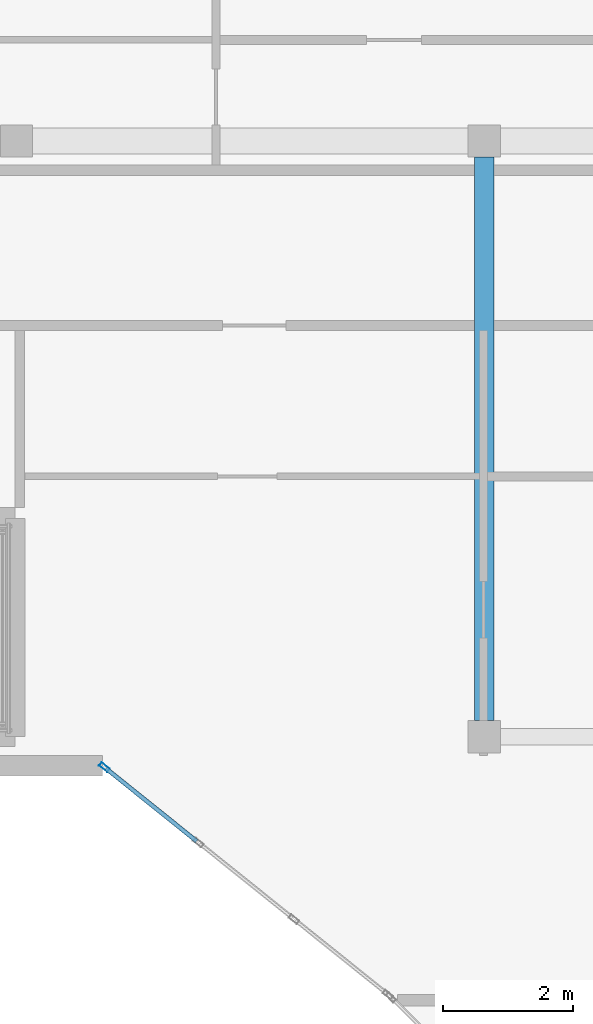
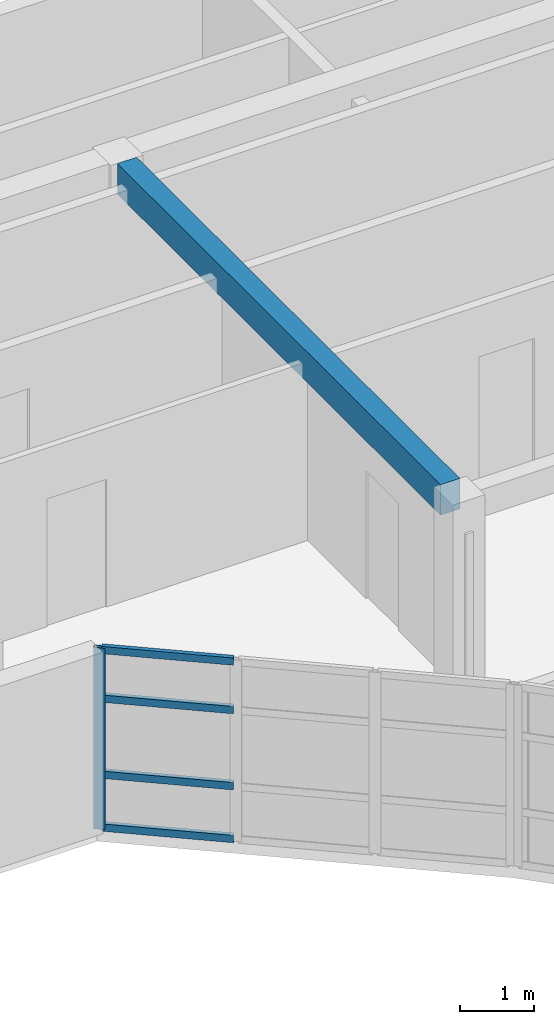
# One storey, part 11 of 30: 5 members, 1 beam, 1 element without a shape of its own.
"""IFC4 building model written with IfcOpenShell, lengths in metres."""

from ifc_helpers import new_model, si_unit, direction, frame, origin, origin_2d, place, context, subcontext, project, spatial, rectangle, hollow_rectangle, extrude, material, layer, layer_set, material_profile, profile_set, type_object, element, aggregate, save


model = new_model("IFC4")

# Units and contexts
model_context = context("Model", 3, precision=1e-05, world=origin(), true_north=direction((0.0, 1.0)))
body_context = subcontext(model_context, "Body", "Model", "MODEL_VIEW")
ifc_project = project(units=[si_unit("LENGTHUNIT", "METRE"), si_unit("AREAUNIT", "SQUARE_METRE"), si_unit("VOLUMEUNIT", "CUBIC_METRE"), si_unit("PLANEANGLEUNIT", "RADIAN"), si_unit("MASSUNIT", "GRAM", prefix="KILO")], contexts=[model_context])

# Site, building, storey
site_placement = place(None, origin())
site = spatial("IfcSite", under=ifc_project, at=site_placement, CompositionType="ELEMENT")
building_placement = place(site_placement, origin())
building = spatial("IfcBuilding", under=site, at=building_placement, Name="Keldmere Railside Commons", CompositionType="ELEMENT")
storey_placement = place(building_placement, frame((0.0, 0.0, 36.159912109375)))
storey = spatial("IfcBuildingStorey", under=building, at=storey_placement, Name="L11", CompositionType="ELEMENT", Elevation=36.159912109375)

# Beam
ifc_material_1 = material(Name="Concrete H-30 (C30/37)", Category="concrete")
ifc_material_profile_1 = material_profile(ifc_material_1, rectangle(XDim=0.300048828125, YDim=0.5, at=origin_2d()), Name="RC-300x500")
ifc_profile_set_1 = profile_set([ifc_material_profile_1], Name="Concrete H-30 (C30/37)")
beam_type = type_object("IfcBeamType", Name="Secondary Frame RC Beam 300x500", PredefinedType="BEAM", material=ifc_profile_set_1)
beam_placement = place(storey_placement, frame((161.889892578125, 100.699951171875, 2.9501953125), z_axis=(0.0, 1.0, 0.0), x_axis=(-1.0, 0.0, 0.0)))
element("IfcBeam", 1, at=beam_placement, inside=storey, type_object=beam_type, Name="BG-5 BM-L11-2471", PredefinedType="BEAM", context=body_context, shape_type="SweptSolid", body=[
    extrude(rectangle(XDim=0.300048828125, YDim=0.5, at=origin_2d()), origin(), (0.0, 0.0, 1.0), 8.699951171875),
])

# Curtain wall, members
ifc_material_2 = material(Name="Thermally Broken Aluminium", Category="aluminium")
ifc_layer = layer(ifc_material_2, 0.159912109375, Name="Court Chord Wintergarden CW 5400x2850")
ifc_layer_set = layer_set([ifc_layer], Name="Thermally Broken Aluminium")
curtain_wall_type = type_object("IfcCurtainWallType", Name="Court Chord Wintergarden CW 5400x2850", PredefinedType="NOTDEFINED", material=ifc_layer_set)
curtain_wall_placement = place(storey_placement, origin())
curtain_wall = element("IfcCurtainWall", 2, at=curtain_wall_placement, inside=storey, type_object=curtain_wall_type, Name="CW-13 CW-L11-190", PredefinedType="NOTDEFINED")
ifc_material_profile_2 = material_profile(ifc_material_2, hollow_rectangle(XDim=0.06494140625, YDim=0.159912109375, WallThickness=0.00390625, at=origin_2d()), Name="ALU-MULL-65x160")
ifc_profile_set_2 = profile_set([ifc_material_profile_2], Name="Thermally Broken Aluminium")
member_type_1 = type_object("IfcMemberType", Name="Unitised Curtain Wall Mullion 65x160", PredefinedType="MULLION", material=ifc_profile_set_2)
member_1_placement = place(storey_placement, frame((156.025390625, 99.979736328125, 0.0), z_axis=(0.0, 0.0, 1.0), x_axis=(-0.625768080915, -0.780009172323, 0.0)))
member_1 = element("IfcMember", 3, at=member_1_placement, type_object=member_type_1, Name="CW-13 mullion 4", PredefinedType="MULLION", context=body_context, shape_type="SweptSolid", body=[
    extrude(hollow_rectangle(XDim=0.06494140625, YDim=0.159912109375, WallThickness=0.00390625, at=origin_2d()), origin(), (0.0, 0.0, 1.0), 2.97998046875),
])
ifc_material_profile_3 = material_profile(ifc_material_2, hollow_rectangle(XDim=0.06494140625, YDim=0.1201171875, WallThickness=0.00390625, at=origin_2d()), Name="ALU-TRAN-65x120")
ifc_profile_set_3 = profile_set([ifc_material_profile_3], Name="Thermally Broken Aluminium")
member_type_2 = type_object("IfcMemberType", Name="Unitised Curtain Wall Transom 65x120", PredefinedType="USERDEFINED", material=ifc_profile_set_3)
member_2_placement = place(storey_placement, frame((157.451416015625, 98.835693359375, 0.032470703125), z_axis=(-0.780045694992, 0.625722553313, 0.0), x_axis=(-0.625722553313, -0.780045694992, 0.0)))
member_2 = element("IfcMember", 4, at=member_2_placement, type_object=member_type_2, Name="CW-13 transom 3.1", ObjectType="TRANSOM", PredefinedType="USERDEFINED", context=body_context, shape_type="SweptSolid", body=[
    extrude(hollow_rectangle(XDim=0.06494140625, YDim=0.1201171875, WallThickness=0.00390625, at=origin_2d()), origin(), (0.0, 0.0, 1.0), 1.795654296875),
])
member_3_placement = place(storey_placement, frame((157.451416015625, 98.835693359375, 0.900146484375), z_axis=(-0.780045694992, 0.625722553313, 0.0), x_axis=(-0.625722553313, -0.780045694992, 0.0)))
member_3 = element("IfcMember", 5, at=member_3_placement, type_object=member_type_2, Name="CW-13 transom 3.2", ObjectType="TRANSOM", PredefinedType="USERDEFINED", context=body_context, shape_type="SweptSolid", body=[
    extrude(hollow_rectangle(XDim=0.06494140625, YDim=0.1201171875, WallThickness=0.00390625, at=origin_2d()), origin(), (0.0, 0.0, 1.0), 1.795654296875),
])
member_4_placement = place(storey_placement, frame((157.451416015625, 98.835693359375, 2.150146484375), z_axis=(-0.780045694992, 0.625722553313, 0.0), x_axis=(-0.625722553313, -0.780045694992, 0.0)))
member_4 = element("IfcMember", 6, at=member_4_placement, type_object=member_type_2, Name="CW-13 transom 3.3", ObjectType="TRANSOM", PredefinedType="USERDEFINED", context=body_context, shape_type="SweptSolid", body=[
    extrude(hollow_rectangle(XDim=0.06494140625, YDim=0.1201171875, WallThickness=0.00390625, at=origin_2d()), origin(), (0.0, 0.0, 1.0), 1.795654296875),
])
member_5_placement = place(storey_placement, frame((157.451416015625, 98.835693359375, 2.947509765625), z_axis=(-0.780045694992, 0.625722553313, 0.0), x_axis=(-0.625722553313, -0.780045694992, 0.0)))
member_5 = element("IfcMember", 7, at=member_5_placement, type_object=member_type_2, Name="CW-13 transom 3.4", ObjectType="TRANSOM", PredefinedType="USERDEFINED", context=body_context, shape_type="SweptSolid", body=[
    extrude(hollow_rectangle(XDim=0.06494140625, YDim=0.1201171875, WallThickness=0.00390625, at=origin_2d()), origin(), (0.0, 0.0, 1.0), 1.795654296875),
])
aggregate(curtain_wall, [member_1, member_2, member_3, member_4, member_5])

save(model, "model.ifc")
